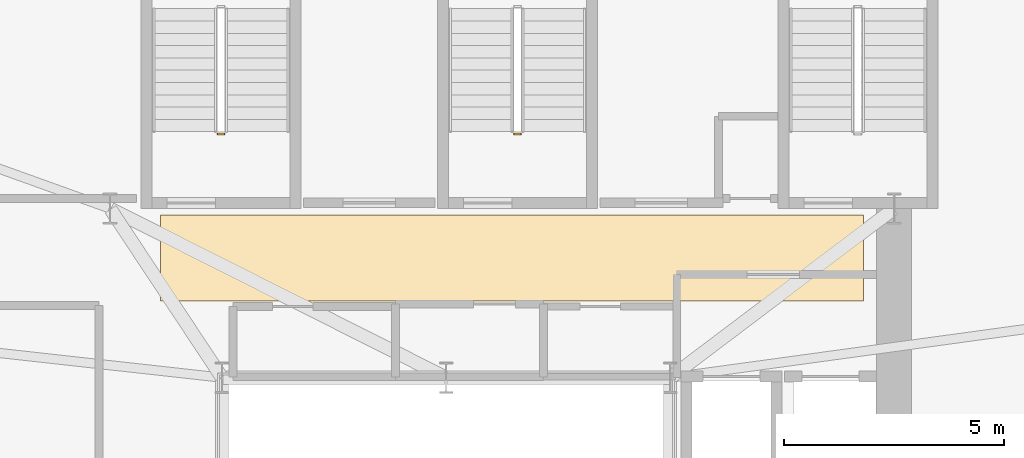
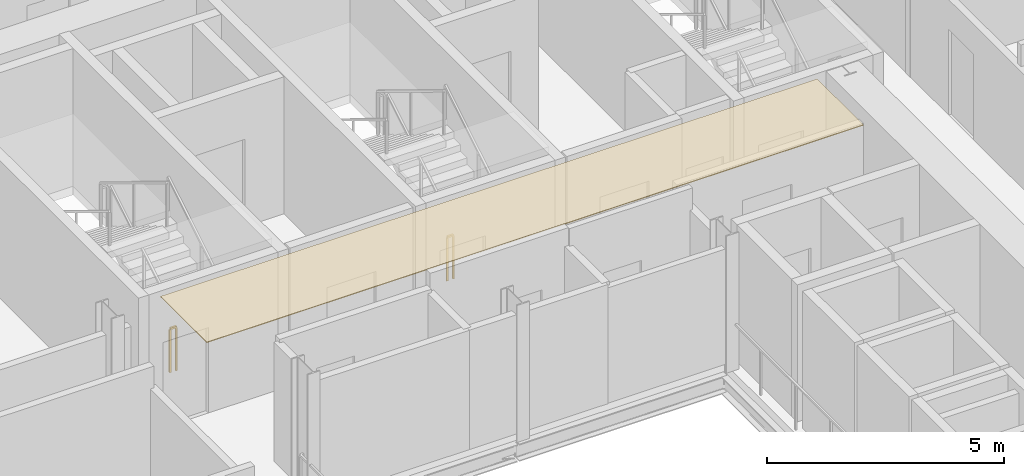
# One storey, part 13 of 16: 2 railings, 1 covering.
"""IFC4 building model written with IfcOpenShell, lengths in metres."""

from ifc_helpers import new_model, si_unit, direction, frame, origin, origin_2d, place, context, subcontext, project, spatial, polyline, rectangle, outline, extrude, source, transform, mapped, material, layer, layer_set, type_object, element, save


model = new_model("IFC4")

# Units and contexts
model_context = context("Model", 3, precision=1e-05, world=origin(), true_north=direction((0.0, 1.0)))
body_context = subcontext(model_context, "Body", "Model", "MODEL_VIEW")
ifc_project = project(units=[si_unit("LENGTHUNIT", "METRE"), si_unit("AREAUNIT", "SQUARE_METRE"), si_unit("VOLUMEUNIT", "CUBIC_METRE"), si_unit("PLANEANGLEUNIT", "RADIAN"), si_unit("MASSUNIT", "GRAM", prefix="KILO")], contexts=[model_context])

# Site, building, storey
site_placement = place(None, origin())
site = spatial("IfcSite", under=ifc_project, at=site_placement, CompositionType="ELEMENT")
building_placement = place(site_placement, origin())
building = spatial("IfcBuilding", under=site, at=building_placement, Name="Vardaveli Station Tower", CompositionType="ELEMENT")
storey_placement = place(building_placement, frame((0.0, 0.0, 184.800048828125)))
storey = spatial("IfcBuildingStorey", under=building, at=storey_placement, Name="L47", CompositionType="ELEMENT", Elevation=184.800048828125)

# Covering
ifc_material_1 = material(Name="Perforated acoustic mineral ceiling")
ifc_layer = layer(ifc_material_1, 0.02001953125, Name="Perforated acoustic mineral ceiling")
ifc_layer_set = layer_set([ifc_layer], Name="Perforated acoustic mineral ceiling")
covering_type = type_object("IfcCoveringType", Name="COV-CEIL-AC20", PredefinedType="CEILING", material=ifc_layer_set)
covering_placement = place(storey_placement, frame((0.0, 0.0, 3.514892578125)))
element("IfcCovering", 1, at=covering_placement, inside=storey, type_object=covering_type, Name="CEIL-L47-8", PredefinedType="CEILING", context=body_context, shape_type="SweptSolid", body=[
    extrude(outline(polyline([(29.800048828125, 28.550048828125), (45.800048828125, 28.550048828125), (45.800048828125, 30.5), (29.800048828125, 30.5), (29.800048828125, 28.550048828125)])), origin(), (0.0, 0.0, 1.0), 0.02001953125),
])

# Railings
ifc_material_2 = material(Name="Brushed AISI 316 stainless steel", Category="steel")
railing_type = type_object("IfcRailingType", Name="RL-GUARD-1150", PredefinedType="GUARDRAIL", material=ifc_material_2)
shared_shape = source(origin(), body_context, "Body", "SweptSolid", [
    extrude(rectangle(XDim=0.048095703125, YDim=0.048095703125, at=origin_2d()), frame((0.0, 0.0, 1.1259765625), z_axis=(-1.0, 0.0, 0.0), x_axis=(0.0, -1.0, 0.0)), (0.0, 0.0, 1.0), 0.14990234375),
    extrude(rectangle(XDim=0.0419921875, YDim=0.0419921875, at=origin_2d()), origin(), (0.0, 0.0, 1.0), 1.101806640625),
    extrude(rectangle(XDim=0.0419921875, YDim=0.0419921875, at=origin_2d()), frame((-0.14990234375, 0.0, 0.0)), (0.0, 0.0, 1.0), 1.101806640625),
])
for number, where, name in (
    (2, (31.25, 32.35009765625, 0.0), "L47 ST-1 stair guard 4"),
    (3, (38.0, 32.35009765625, 0.0), "L47 ST-2 stair guard 4"),
):
    element("IfcRailing", number, at=place(storey_placement, frame(where)), inside=storey, type_object=railing_type, Name=name, PredefinedType="GUARDRAIL", context=body_context, shape_type="MappedRepresentation", body=[
        mapped(shared_shape, transform((0.0, 0.0, 0.0), scale=1.0)),
    ])

save(model, "model.ifc")
